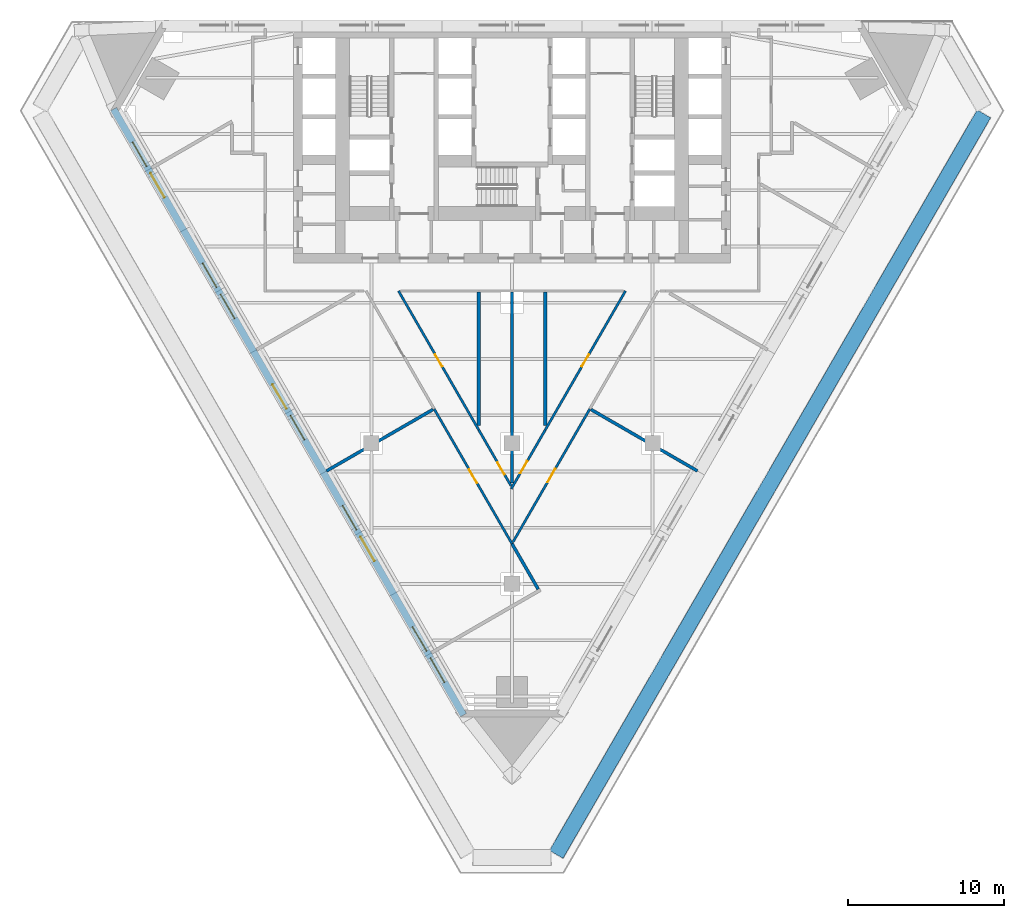
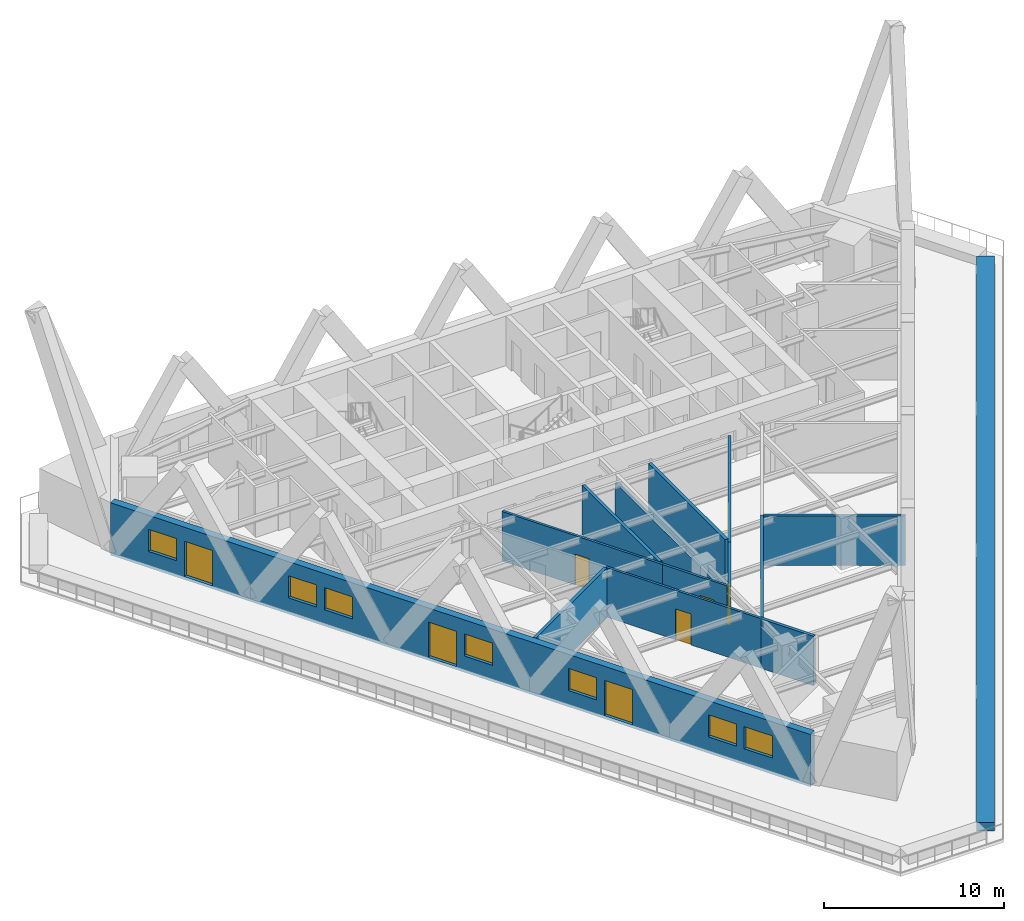
# One storey, part 3 of 11: 14 walls, 9 doors, 7 windows, 16 openings.
"""IFC4 building model written with IfcOpenShell, lengths in metres."""

import ifcopenshell
import ifcopenshell.guid

model = None  # the IFC model being written
_history = None  # IfcOwnerHistory: only IFC2X3 demands one
_inside = {}  # id of a spatial element -> (the spatial element, [elements in it])
_under = {}  # id of a project, library or spatial element -> (it, [spatial elements below it])
_declared = {}  # id of a project -> (the project, [libraries it declares])
_typed = {}  # id of a type object -> (the type object, [elements of that type])
_made_of = {}  # id of a material, layer set ... -> (it, [elements and type objects made of it])


def new_model(schema):
    """Start an empty IFC model of exactly this schema.

    Asked for "IFC4X3", IfcOpenShell would pick the latest addendum, in which some entities
    have other attributes; the version numbers below select the first issue.
    IFC2X3 requires an IfcOwnerHistory on every rooted entity: one is made here for all.
    """
    global model, _history
    if schema == "IFC4X3":
        model = ifcopenshell.file(schema_version=(4, 3, 0, 0))
    else:
        model = ifcopenshell.file(schema=schema)
    _inside.clear()
    _under.clear()
    _declared.clear()
    _typed.clear()
    _made_of.clear()
    _history = None
    if model.schema == "IFC2X3":
        org = make("IfcOrganization", Name="unknown")
        user = make(
            "IfcPersonAndOrganization",
            ThePerson=make("IfcPerson", FamilyName="unknown"),
            TheOrganization=org,
        )
        app = make(
            "IfcApplication",
            ApplicationDeveloper=org,
            Version="unknown",
            ApplicationFullName="unknown",
            ApplicationIdentifier="unknown",
        )
        _history = make(
            "IfcOwnerHistory",
            OwningUser=user,
            OwningApplication=app,
            ChangeAction="ADDED",
            CreationDate=0,
        )
    return model


def make(cls, **values):
    """One entity of the class cls with the attributes given. An attribute that is None is left unset."""
    return model.create_entity(
        cls, **{name: value for name, value in values.items() if value is not None}
    )


def rooted(cls, **values):
    """An entity with a GlobalId (a new one), such as an element, a storey or a relation."""
    return make(cls, GlobalId=ifcopenshell.guid.new(), OwnerHistory=_history, **values)


def si_unit(unit_type, name, prefix=None):
    """IfcSIUnit, for example si_unit("LENGTHUNIT", "METRE", prefix="MILLI")."""
    return make("IfcSIUnit", UnitType=unit_type, Prefix=prefix, Name=name)


def assignment(units):
    """IfcUnitAssignment: the units of a project."""
    return None if units is None else make("IfcUnitAssignment", Units=units)


def point(xyz):
    """IfcCartesianPoint."""
    return None if xyz is None else make("IfcCartesianPoint", Coordinates=xyz)


def direction(xyz):
    """IfcDirection."""
    return None if xyz is None else make("IfcDirection", DirectionRatios=xyz)


def frame(location, z_axis=None, x_axis=None):
    """IfcAxis2Placement3D, a coordinate frame: its origin and axes. An axis left out is left unset."""
    return make(
        "IfcAxis2Placement3D",
        Location=point(location),
        Axis=direction(z_axis),
        RefDirection=direction(x_axis),
    )


def frame_2d(location, x_axis=None):
    """IfcAxis2Placement2D, a coordinate frame in the plane: its origin and x axis."""
    return make(
        "IfcAxis2Placement2D", Location=point(location), RefDirection=direction(x_axis)
    )


def origin():
    """The frame at (0, 0, 0) with its axes left unset."""
    return frame((0.0, 0.0, 0.0))


def place(relative_to, where):
    """IfcLocalPlacement: puts the frame where relative to a parent placement (None: the world)."""
    return make(
        "IfcLocalPlacement", PlacementRelTo=relative_to, RelativePlacement=where
    )


def context(
    kind, dimensions, precision=None, world=None, true_north=None, identifier=None
):
    """IfcGeometricRepresentationContext, for example the 3D "Model" context."""
    return make(
        "IfcGeometricRepresentationContext",
        ContextIdentifier=identifier,
        ContextType=kind,
        CoordinateSpaceDimension=dimensions,
        Precision=precision,
        WorldCoordinateSystem=world,
        TrueNorth=true_north,
    )


def subcontext(parent, identifier, kind, view, scale=None):
    """IfcGeometricRepresentationSubContext, for example "Body" below "Model"."""
    return make(
        "IfcGeometricRepresentationSubContext",
        ContextIdentifier=identifier,
        ContextType=kind,
        ParentContext=parent,
        TargetScale=scale,
        TargetView=view,
    )


def project(units=None, contexts=None):
    """IfcProject with its units and contexts."""
    return rooted(
        "IfcProject",
        Name="project",
        RepresentationContexts=contexts,
        UnitsInContext=assignment(units),
    )


def spatial(cls, under=None, at=None, **own):
    """A site, building, storey or space (cls), placed at a placement, below another one or the project."""
    s = rooted(cls, ObjectPlacement=at, **own)
    if under is not None:
        _under.setdefault(under.id(), (under, []))[1].append(s)
    return s


def polyline(points):
    """IfcPolyline through the points."""
    return make("IfcPolyline", Points=[point(p) for p in points])


def profile(cls, at=None, kind="AREA", **sizes):
    """A parametric profile (cls). Its sizes go by their IFC names, for example OverallWidth=200.0."""
    return make(cls, ProfileType=kind, Position=at, **sizes)


def rectangle(**sizes):
    """IfcRectangleProfileDef."""
    return profile("IfcRectangleProfileDef", **sizes)


def outline(outer, holes=None, kind="AREA"):
    """IfcArbitraryClosedProfileDef: a profile drawn as a closed curve; with holes, ...WithVoids."""
    if holes is None:
        return make("IfcArbitraryClosedProfileDef", ProfileType=kind, OuterCurve=outer)
    return make(
        "IfcArbitraryProfileDefWithVoids",
        ProfileType=kind,
        OuterCurve=outer,
        InnerCurves=holes,
    )


def extrude(swept, where, along, depth):
    """IfcExtrudedAreaSolid: the profile swept, set in the frame where, extruded along a direction by depth."""
    return make(
        "IfcExtrudedAreaSolid",
        SweptArea=swept,
        Position=where,
        ExtrudedDirection=direction(along),
        Depth=depth,
    )


def shape(context_of_items, identifier, shape_type, items):
    """IfcShapeRepresentation: the items that make up one representation, for example the "Body"."""
    return make(
        "IfcShapeRepresentation",
        ContextOfItems=context_of_items,
        RepresentationIdentifier=identifier,
        RepresentationType=shape_type,
        Items=items,
    )


def material(Name=None, Category=None):
    """IfcMaterial."""
    return make("IfcMaterial", Name=Name, Category=Category)


def layer(
    of_material, thickness, ventilated=None, Name=None, Category=None, Priority=None
):
    """IfcMaterialLayer: one layer of a wall or slab, of a material (None: an air gap)."""
    return make(
        "IfcMaterialLayer",
        Material=of_material,
        LayerThickness=thickness,
        IsVentilated=ventilated,
        Name=Name,
        Category=Category,
        Priority=Priority,
    )


def layer_set(layers, Name=None):
    """IfcMaterialLayerSet."""
    return make("IfcMaterialLayerSet", MaterialLayers=layers, LayerSetName=Name)


def made_of(thing, what):
    """Note that an element or type object is made of a material, layer set ...; save() writes the relation."""
    if what is not None:
        _made_of.setdefault(what.id(), (what, []))[1].append(thing)
    return thing


def type_object(cls, material=None, **own):
    """A type object (cls), such as IfcWallType, which elements share."""
    return made_of(rooted(cls, **own), material)


def element(
    cls,
    number,
    at=None,
    inside=None,
    cuts=None,
    type_object=None,
    material=None,
    context=None,
    identifier="Body",
    shape_type=None,
    held_by="IfcProductDefinitionShape",
    body=None,
    shapes=None,
    **own,
):
    """One element of the class cls, such as IfcWall. Its Tag is "e" and its number.

    at: its placement. inside: the storey or other place that contains it. cuts: it is an
    opening in that element (IfcRelVoidsElement). A single representation is given by context,
    identifier, shape_type and body (its items); several are given by shapes. held_by: the class
    of the entity that holds the representations. save() writes the other relations.
    """
    e = rooted(cls, Tag="e%d" % number, ObjectPlacement=at, **own)
    if body is not None:
        shapes = [shape(context, identifier, shape_type, body)]
    if shapes is not None:
        e.Representation = make(held_by, Representations=shapes)
    if inside is not None:
        _inside.setdefault(inside.id(), (inside, []))[1].append(e)
    if cuts is not None:
        rooted(
            "IfcRelVoidsElement", RelatingBuildingElement=cuts, RelatedOpeningElement=e
        )
    if type_object is not None:
        _typed.setdefault(type_object.id(), (type_object, []))[1].append(e)
    return made_of(e, material)


def fill(opening, filler):
    """IfcRelFillsElement: the door or window that sits in an opening."""
    return rooted(
        "IfcRelFillsElement",
        RelatingOpeningElement=opening,
        RelatedBuildingElement=filler,
    )


def aggregate(whole, parts):
    """IfcRelAggregates: a whole, such as a stair, and the parts it consists of."""
    return rooted("IfcRelAggregates", RelatingObject=whole, RelatedObjects=parts)


def save(model, path):
    """Write the relations noted so far, then the file.

    IfcRelAggregates (storeys below a building ...), IfcRelContainedInSpatialStructure (elements
    in a storey), IfcRelDefinesByType, IfcRelAssociatesMaterial and IfcRelDeclares: one each for
    every whole, place, type object, material and project.
    """
    for whole, parts in _under.values():
        aggregate(whole, parts)
    for where, things in _inside.values():
        rooted(
            "IfcRelContainedInSpatialStructure",
            RelatedElements=things,
            RelatingStructure=where,
        )
    for kind, things in _typed.values():
        rooted("IfcRelDefinesByType", RelatedObjects=things, RelatingType=kind)
    for what, things in _made_of.values():
        rooted("IfcRelAssociatesMaterial", RelatedObjects=things, RelatingMaterial=what)
    for by, libraries in _declared.values():
        rooted("IfcRelDeclares", RelatingContext=by, RelatedDefinitions=libraries)
    model.write(path)


model = new_model("IFC4")

# Units and contexts
model_context = context("Model", 3, precision=1e-05, world=origin(), true_north=direction((0.0, 1.0)))
body_context = subcontext(model_context, "Body", "Model", "MODEL_VIEW")
ifc_project = project(units=[si_unit("LENGTHUNIT", "METRE"), si_unit("AREAUNIT", "SQUARE_METRE"), si_unit("VOLUMEUNIT", "CUBIC_METRE"), si_unit("PLANEANGLEUNIT", "RADIAN"), si_unit("MASSUNIT", "GRAM", prefix="KILO")], contexts=[model_context])

# Site, building, storey
site_placement = place(None, origin())
site = spatial("IfcSite", under=ifc_project, at=site_placement, CompositionType="ELEMENT")
building_placement = place(site_placement, origin())
building = spatial("IfcBuilding", under=site, at=building_placement, Name="Aloe Facet Convention Tower", CompositionType="ELEMENT")
storey_placement = place(building_placement, frame((0.0, 0.0, 35.0)))
storey = spatial("IfcBuildingStorey", under=building, at=storey_placement, Name="L06", CompositionType="ELEMENT", Elevation=35.0)

# Wall
ifc_material_1 = material(Name="Precast concrete C40/50", Category="concrete")
ifc_layer_1 = layer(ifc_material_1, 1.0)
ifc_layer_set_1 = layer_set([ifc_layer_1], Name="EV-PLANTER-BED")
wall_type_1 = type_object("IfcWallType", Name="EV-PLANTER-BED", PredefinedType="STANDARD", material=ifc_layer_set_1)
wall_1_placement = place(storey_placement, frame((110.20751953125, 129.09130859375, 0.0), z_axis=(0.0, 0.0, 1.0), x_axis=(-0.500001932243, -0.8660242882, 0.0)))
element("IfcWall", 1, at=wall_1_placement, inside=storey, type_object=wall_type_1, Name="PLANTER PT-L06-1-2", PredefinedType="STANDARD", context=body_context, shape_type="SweptSolid", body=[
    extrude(rectangle(XDim=54.746826171875, YDim=1.0, at=frame_2d((27.37353515625, 0.0))), origin(), (0.0, 0.0, 1.0), 0.60009765625),
])

# Wall, openings, doors, windows
ifc_material_2 = material(Name="Precast concrete C40/50", Category="concrete")
ifc_layer_2 = layer(ifc_material_2, 0.449951171875)
ifc_layer_set_2 = layer_set([ifc_layer_2], Name="EV-WALL-STONE")
wall_type_2 = type_object("IfcWallType", Name="EV-WALL-STONE", PredefinedType="SOLIDWALL", material=ifc_layer_set_2)
wall_2_placement = place(storey_placement, frame((54.494873046875, 129.396728515625, -0.199951171875), z_axis=(0.0, 0.0, 1.0), x_axis=(0.499999201451, -0.866025864826, 0.0)))
wall_2 = element("IfcWall", 2, at=wall_2_placement, inside=storey, type_object=wall_type_2, Name="EW-L06-W01", PredefinedType="SOLIDWALL", context=body_context, shape_type="SweptSolid", body=[
    extrude(outline(polyline([(44.800048828125, 0.0), (44.800048828125, 3.550048828125), (0.0, 3.550048828125), (0.0, 0.0), (44.800048828125, 0.0)])), frame((0.0, 0.22509765625, 0.0), z_axis=(0.0, -1.0, 0.0), x_axis=(1.0, 0.0, 0.0)), (0.0, 0.0, 1.0), 0.449951171875),
])
opening_1_placement = place(wall_2_placement, frame((2.429931640625, 0.0, 1.10009765625)))
opening_1 = element("IfcOpeningElement", 3, at=opening_1_placement, cuts=wall_2, Name="Opening W-L06-W01", PredefinedType="OPENING", context=body_context, shape_type="SweptSolid", body=[
    extrude(rectangle(XDim=1.800048828125, YDim=1.5, at=frame_2d((0.89990234375, 0.75))), frame((0.0, 0.23486328125, 0.0), z_axis=(0.0, -1.0, 0.0), x_axis=(1.0, 0.0, 0.0)), (0.0, 0.0, 1.0), 0.469970703125),
])
opening_2_placement = place(wall_2_placement, frame((4.72998046875, 0.0, 0.199951171875)))
opening_2 = element("IfcOpeningElement", 4, at=opening_2_placement, cuts=wall_2, Name="Opening D-L06-W02", PredefinedType="OPENING", context=body_context, shape_type="SweptSolid", body=[
    extrude(rectangle(XDim=1.800048828125, YDim=2.39990234375, at=frame_2d((0.89990234375, 1.199951171875))), frame((0.0, 0.23486328125, 0.0), z_axis=(0.0, -1.0, 0.0), x_axis=(1.0, 0.0, 0.0)), (0.0, 0.0, 1.0), 0.469970703125),
])
opening_3_placement = place(wall_2_placement, frame((11.389892578125, 0.0, 1.10009765625)))
opening_3 = element("IfcOpeningElement", 5, at=opening_3_placement, cuts=wall_2, Name="Opening W-L06-W03", PredefinedType="OPENING", context=body_context, shape_type="SweptSolid", body=[
    extrude(rectangle(XDim=1.800048828125, YDim=1.5, at=frame_2d((0.89990234375, 0.75))), frame((0.0, 0.23486328125, 0.0), z_axis=(0.0, -1.0, 0.0), x_axis=(1.0, 0.0, 0.0)), (0.0, 0.0, 1.0), 0.469970703125),
])
opening_4_placement = place(wall_2_placement, frame((13.68994140625, 0.0, 1.10009765625)))
opening_4 = element("IfcOpeningElement", 6, at=opening_4_placement, cuts=wall_2, Name="Opening W-L06-W04", PredefinedType="OPENING", context=body_context, shape_type="SweptSolid", body=[
    extrude(rectangle(XDim=1.800048828125, YDim=1.5, at=frame_2d((0.89990234375, 0.75))), frame((0.0, 0.23486328125, 0.0), z_axis=(0.0, -1.0, 0.0), x_axis=(1.0, 0.0, 0.0)), (0.0, 0.0, 1.0), 0.469970703125),
])
opening_5_placement = place(wall_2_placement, frame((20.35009765625, 0.0, 0.199951171875)))
opening_5 = element("IfcOpeningElement", 7, at=opening_5_placement, cuts=wall_2, Name="Opening D-L06-W05", PredefinedType="OPENING", context=body_context, shape_type="SweptSolid", body=[
    extrude(rectangle(XDim=1.800048828125, YDim=2.39990234375, at=frame_2d((0.89990234375, 1.199951171875))), frame((0.0, 0.23486328125, 0.0), z_axis=(0.0, -1.0, 0.0), x_axis=(1.0, 0.0, 0.0)), (0.0, 0.0, 1.0), 0.469970703125),
])
opening_6_placement = place(wall_2_placement, frame((22.64990234375, 0.0, 1.10009765625)))
opening_6 = element("IfcOpeningElement", 8, at=opening_6_placement, cuts=wall_2, Name="Opening W-L06-W06", PredefinedType="OPENING", context=body_context, shape_type="SweptSolid", body=[
    extrude(rectangle(XDim=1.800048828125, YDim=1.5, at=frame_2d((0.89990234375, 0.75))), frame((0.0, 0.23486328125, 0.0), z_axis=(0.0, -1.0, 0.0), x_axis=(1.0, 0.0, 0.0)), (0.0, 0.0, 1.0), 0.469970703125),
])
opening_7_placement = place(wall_2_placement, frame((29.31005859375, 0.0, 1.10009765625)))
opening_7 = element("IfcOpeningElement", 9, at=opening_7_placement, cuts=wall_2, Name="Opening W-L06-W07", PredefinedType="OPENING", context=body_context, shape_type="SweptSolid", body=[
    extrude(rectangle(XDim=1.800048828125, YDim=1.5, at=frame_2d((0.89990234375, 0.75))), frame((0.0, 0.23486328125, 0.0), z_axis=(0.0, -1.0, 0.0), x_axis=(1.0, 0.0, 0.0)), (0.0, 0.0, 1.0), 0.469970703125),
])
opening_8_placement = place(wall_2_placement, frame((31.610107421875, 0.0, 0.199951171875)))
opening_8 = element("IfcOpeningElement", 10, at=opening_8_placement, cuts=wall_2, Name="Opening D-L06-W08", PredefinedType="OPENING", context=body_context, shape_type="SweptSolid", body=[
    extrude(rectangle(XDim=1.800048828125, YDim=2.39990234375, at=frame_2d((0.89990234375, 1.199951171875))), frame((0.0, 0.23486328125, 0.0), z_axis=(0.0, -1.0, 0.0), x_axis=(1.0, 0.0, 0.0)), (0.0, 0.0, 1.0), 0.469970703125),
])
opening_9_placement = place(wall_2_placement, frame((38.27001953125, 0.0, 1.10009765625)))
opening_9 = element("IfcOpeningElement", 11, at=opening_9_placement, cuts=wall_2, Name="Opening W-L06-W09", PredefinedType="OPENING", context=body_context, shape_type="SweptSolid", body=[
    extrude(rectangle(XDim=1.800048828125, YDim=1.5, at=frame_2d((0.89990234375, 0.75))), frame((0.0, 0.23486328125, 0.0), z_axis=(0.0, -1.0, 0.0), x_axis=(1.0, 0.0, 0.0)), (0.0, 0.0, 1.0), 0.469970703125),
])
opening_10_placement = place(wall_2_placement, frame((40.570068359375, 0.0, 1.10009765625)))
opening_10 = element("IfcOpeningElement", 12, at=opening_10_placement, cuts=wall_2, Name="Opening W-L06-W10", PredefinedType="OPENING", context=body_context, shape_type="SweptSolid", body=[
    extrude(rectangle(XDim=1.800048828125, YDim=1.5, at=frame_2d((0.89990234375, 0.75))), frame((0.0, 0.23486328125, 0.0), z_axis=(0.0, -1.0, 0.0), x_axis=(1.0, 0.0, 0.0)), (0.0, 0.0, 1.0), 0.469970703125),
])
ifc_material_3 = material(Name="Aluminium frame, clear double glazing", Category="aluminium")
door_type_1 = type_object("IfcDoorType", Name="EV-DOOR-FRENCH", OperationType="DOUBLE_DOOR_SINGLE_SWING", PredefinedType="DOOR", material=ifc_material_3)
door_1_placement = place(opening_2_placement, origin())
door_1 = element("IfcDoor", 13, at=door_1_placement, inside=storey, type_object=door_type_1, Name="D-L06-W02", OperationType="SINGLE_SWING_LEFT", OverallHeight=2.39990234375, OverallWidth=1.800048828125, PredefinedType="DOOR", context=body_context, shape_type="SweptSolid", body=[
    extrude(rectangle(XDim=1.800048828125, YDim=2.39990234375, at=frame_2d((0.89990234375, 1.199951171875))), frame((0.0, 0.02490234375, 0.0), z_axis=(0.0, -1.0, 0.0), x_axis=(1.0, 0.0, 0.0)), (0.0, 0.0, 1.0), 0.050048828125),
])
fill(opening_2, door_1)
door_2_placement = place(opening_5_placement, origin())
door_2 = element("IfcDoor", 14, at=door_2_placement, inside=storey, type_object=door_type_1, Name="D-L06-W05", OperationType="SINGLE_SWING_LEFT", OverallHeight=2.39990234375, OverallWidth=1.800048828125, PredefinedType="DOOR", context=body_context, shape_type="SweptSolid", body=[
    extrude(rectangle(XDim=1.800048828125, YDim=2.39990234375, at=frame_2d((0.89990234375, 1.199951171875))), frame((0.0, 0.02490234375, 0.0), z_axis=(0.0, -1.0, 0.0), x_axis=(1.0, 0.0, 0.0)), (0.0, 0.0, 1.0), 0.050048828125),
])
fill(opening_5, door_2)
door_3_placement = place(opening_8_placement, origin())
door_3 = element("IfcDoor", 15, at=door_3_placement, inside=storey, type_object=door_type_1, Name="D-L06-W08", OperationType="SINGLE_SWING_LEFT", OverallHeight=2.39990234375, OverallWidth=1.800048828125, PredefinedType="DOOR", context=body_context, shape_type="SweptSolid", body=[
    extrude(rectangle(XDim=1.800048828125, YDim=2.39990234375, at=frame_2d((0.89990234375, 1.199951171875))), frame((0.0, 0.02490234375, 0.0), z_axis=(0.0, -1.0, 0.0), x_axis=(1.0, 0.0, 0.0)), (0.0, 0.0, 1.0), 0.050048828125),
])
fill(opening_8, door_3)
ifc_material_4 = material(Name="Aluminium frame, clear double glazing", Category="aluminium")
window_type = type_object("IfcWindowType", Name="EV-WIN-H18", PartitioningType="SINGLE_PANEL", PredefinedType="WINDOW", material=ifc_material_4)
window_1_placement = place(opening_1_placement, origin())
window_1 = element("IfcWindow", 16, at=window_1_placement, inside=storey, type_object=window_type, Name="W-L06-W01", OverallHeight=1.5, OverallWidth=1.800048828125, PartitioningType="SINGLE_PANEL", PredefinedType="WINDOW", context=body_context, shape_type="SweptSolid", body=[
    extrude(rectangle(XDim=1.800048828125, YDim=1.5, at=frame_2d((0.89990234375, 0.75))), frame((0.0, 0.030029296875, 0.0), z_axis=(0.0, -1.0, 0.0), x_axis=(1.0, 0.0, 0.0)), (0.0, 0.0, 1.0), 0.06005859375),
])
fill(opening_1, window_1)
window_2_placement = place(opening_3_placement, origin())
window_2 = element("IfcWindow", 17, at=window_2_placement, inside=storey, type_object=window_type, Name="W-L06-W03", OverallHeight=1.5, OverallWidth=1.800048828125, PartitioningType="SINGLE_PANEL", PredefinedType="WINDOW", context=body_context, shape_type="SweptSolid", body=[
    extrude(rectangle(XDim=1.800048828125, YDim=1.5, at=frame_2d((0.89990234375, 0.75))), frame((0.0, 0.030029296875, 0.0), z_axis=(0.0, -1.0, 0.0), x_axis=(1.0, 0.0, 0.0)), (0.0, 0.0, 1.0), 0.06005859375),
])
fill(opening_3, window_2)
window_3_placement = place(opening_4_placement, origin())
window_3 = element("IfcWindow", 18, at=window_3_placement, inside=storey, type_object=window_type, Name="W-L06-W04", OverallHeight=1.5, OverallWidth=1.800048828125, PartitioningType="SINGLE_PANEL", PredefinedType="WINDOW", context=body_context, shape_type="SweptSolid", body=[
    extrude(rectangle(XDim=1.800048828125, YDim=1.5, at=frame_2d((0.89990234375, 0.75))), frame((0.0, 0.030029296875, 0.0), z_axis=(0.0, -1.0, 0.0), x_axis=(1.0, 0.0, 0.0)), (0.0, 0.0, 1.0), 0.06005859375),
])
fill(opening_4, window_3)
window_4_placement = place(opening_6_placement, origin())
window_4 = element("IfcWindow", 19, at=window_4_placement, inside=storey, type_object=window_type, Name="W-L06-W06", OverallHeight=1.5, OverallWidth=1.800048828125, PartitioningType="SINGLE_PANEL", PredefinedType="WINDOW", context=body_context, shape_type="SweptSolid", body=[
    extrude(rectangle(XDim=1.800048828125, YDim=1.5, at=frame_2d((0.89990234375, 0.75))), frame((0.0, 0.030029296875, 0.0), z_axis=(0.0, -1.0, 0.0), x_axis=(1.0, 0.0, 0.0)), (0.0, 0.0, 1.0), 0.06005859375),
])
fill(opening_6, window_4)
window_5_placement = place(opening_7_placement, origin())
window_5 = element("IfcWindow", 20, at=window_5_placement, inside=storey, type_object=window_type, Name="W-L06-W07", OverallHeight=1.5, OverallWidth=1.800048828125, PartitioningType="SINGLE_PANEL", PredefinedType="WINDOW", context=body_context, shape_type="SweptSolid", body=[
    extrude(rectangle(XDim=1.800048828125, YDim=1.5, at=frame_2d((0.89990234375, 0.75))), frame((0.0, 0.030029296875, 0.0), z_axis=(0.0, -1.0, 0.0), x_axis=(1.0, 0.0, 0.0)), (0.0, 0.0, 1.0), 0.06005859375),
])
fill(opening_7, window_5)
window_6_placement = place(opening_9_placement, origin())
window_6 = element("IfcWindow", 21, at=window_6_placement, inside=storey, type_object=window_type, Name="W-L06-W09", OverallHeight=1.5, OverallWidth=1.800048828125, PartitioningType="SINGLE_PANEL", PredefinedType="WINDOW", context=body_context, shape_type="SweptSolid", body=[
    extrude(rectangle(XDim=1.800048828125, YDim=1.5, at=frame_2d((0.89990234375, 0.75))), frame((0.0, 0.030029296875, 0.0), z_axis=(0.0, -1.0, 0.0), x_axis=(1.0, 0.0, 0.0)), (0.0, 0.0, 1.0), 0.06005859375),
])
fill(opening_9, window_6)
window_7_placement = place(opening_10_placement, origin())
window_7 = element("IfcWindow", 22, at=window_7_placement, inside=storey, type_object=window_type, Name="W-L06-W10", OverallHeight=1.5, OverallWidth=1.800048828125, PartitioningType="SINGLE_PANEL", PredefinedType="WINDOW", context=body_context, shape_type="SweptSolid", body=[
    extrude(rectangle(XDim=1.800048828125, YDim=1.5, at=frame_2d((0.89990234375, 0.75))), frame((0.0, 0.030029296875, 0.0), z_axis=(0.0, -1.0, 0.0), x_axis=(1.0, 0.0, 0.0)), (0.0, 0.0, 1.0), 0.06005859375),
])
fill(opening_10, window_7)

# Wall, opening, door
ifc_material_5 = material(Name="Gypsum board partition on steel studs", Category="steel")
ifc_layer_3 = layer(ifc_material_5, 0.14990234375)
ifc_layer_set_3 = layer_set([ifc_layer_3], Name="IN-W-CORR")
wall_type_3 = type_object("IfcWallType", Name="IN-W-CORR", PredefinedType="PARTITIONING", material=ifc_layer_set_3)
wall_3_placement = place(storey_placement, frame((75.0146484375, 110.20556640625, 0.0), z_axis=(0.0, 0.0, 1.0), x_axis=(0.49999446006, -0.866028602246, 0.0)))
wall_3 = element("IfcWall", 23, at=wall_3_placement, inside=storey, type_object=wall_type_3, Name="Partition L06-W003", PredefinedType="PARTITIONING", context=body_context, shape_type="SweptSolid", body=[
    extrude(rectangle(XDim=9.970703125, YDim=0.14990234375, at=frame_2d((4.9853515625, 0.0))), origin(), (0.0, 0.0, 1.0), 3.35009765625),
])
opening_11_placement = place(wall_3_placement, frame((4.4853515625, 0.0, 0.0)))
opening_11 = element("IfcOpeningElement", 24, at=opening_11_placement, cuts=wall_3, Name="Opening L06-005", PredefinedType="OPENING", context=body_context, shape_type="SweptSolid", body=[
    extrude(rectangle(XDim=1.0, YDim=2.10009765625, at=frame_2d((0.5, 1.050048828125))), frame((0.0, 0.0849609375, 0.0), z_axis=(0.0, -1.0, 0.0), x_axis=(1.0, 0.0, 0.0)), (0.0, 0.0, 1.0), 0.169921875),
])
ifc_material_6 = material(Name="Hardwood flush door FD30S", Category="wood")
door_type_2 = type_object("IfcDoorType", Name="IN-D-WIDE", OperationType="SINGLE_SWING_LEFT", PredefinedType="DOOR", material=ifc_material_6)
door_4_placement = place(opening_11_placement, origin())
door_4 = element("IfcDoor", 25, at=door_4_placement, inside=storey, type_object=door_type_2, Name="Door L06-005", OperationType="SINGLE_SWING_LEFT", OverallHeight=2.10009765625, OverallWidth=1.0, PredefinedType="DOOR", context=body_context, shape_type="SweptSolid", body=[
    extrude(rectangle(XDim=1.0, YDim=2.10009765625, at=frame_2d((0.5, 1.050048828125))), frame((0.0, 0.02490234375, 0.0), z_axis=(0.0, -1.0, 0.0), x_axis=(1.0, 0.0, 0.0)), (0.0, 0.0, 1.0), 0.050048828125),
])
fill(opening_11, door_4)

wall_4_placement = place(storey_placement, frame((79.949951171875, 105.083984375, 0.0), z_axis=(0.0, 0.0, 1.0), x_axis=(0.500016925002, 0.866015631909, 0.0)))
wall_4 = element("IfcWall", 26, at=wall_4_placement, inside=storey, type_object=wall_type_3, Name="Partition L06-W004", PredefinedType="PARTITIONING", context=body_context, shape_type="SweptSolid", body=[
    extrude(rectangle(XDim=4.353759765625, YDim=0.14990234375, at=frame_2d((2.1767578125, 0.0))), origin(), (0.0, 0.0, 1.0), 3.35009765625),
])
opening_12_placement = place(wall_4_placement, frame((1.15625, 0.0, 0.0)))
opening_12 = element("IfcOpeningElement", 27, at=opening_12_placement, cuts=wall_4, Name="Opening L06-012", PredefinedType="OPENING", context=body_context, shape_type="SweptSolid", body=[
    extrude(rectangle(XDim=0.89990234375, YDim=2.10009765625, at=frame_2d((0.449951171875, 1.050048828125))), frame((0.0, 0.0849609375, 0.0), z_axis=(0.0, -1.0, 0.0), x_axis=(1.0, 0.0, 0.0)), (0.0, 0.0, 1.0), 0.169921875),
])
ifc_material_7 = material(Name="Hardwood flush door FD30S", Category="wood")
door_type_3 = type_object("IfcDoorType", Name="IN-D-GUEST", OperationType="SINGLE_SWING_LEFT", PredefinedType="DOOR", material=ifc_material_7)
door_5_placement = place(opening_12_placement, origin())
door_5 = element("IfcDoor", 28, at=door_5_placement, inside=storey, type_object=door_type_3, Name="Door L06-012", OperationType="SINGLE_SWING_LEFT", OverallHeight=2.10009765625, OverallWidth=0.89990234375, PredefinedType="DOOR", context=body_context, shape_type="SweptSolid", body=[
    extrude(rectangle(XDim=0.89990234375, YDim=2.10009765625, at=frame_2d((0.449951171875, 1.050048828125))), frame((0.0, 0.02490234375, 0.0), z_axis=(0.0, -1.0, 0.0), x_axis=(1.0, 0.0, 0.0)), (0.0, 0.0, 1.0), 0.050048828125),
])
fill(opening_12, door_5)

wall_5_placement = place(storey_placement, frame((77.873046875, 108.8544921875, 0.0), z_axis=(0.0, 0.0, 1.0), x_axis=(0.500005674609, -0.866022127522, 0.0)))
wall_5 = element("IfcWall", 29, at=wall_5_placement, inside=storey, type_object=wall_type_3, Name="Partition L06-W008", PredefinedType="PARTITIONING", context=body_context, shape_type="SweptSolid", body=[
    extrude(rectangle(XDim=4.12890625, YDim=0.14990234375, at=frame_2d((2.064453125, 0.0))), origin(), (0.0, 0.0, 1.0), 3.35009765625),
])
opening_13_placement = place(wall_5_placement, frame((2.4033203125, 0.0, 0.0)))
opening_13 = element("IfcOpeningElement", 30, at=opening_13_placement, cuts=wall_5, Name="Opening L06-011", PredefinedType="OPENING", context=body_context, shape_type="SweptSolid", body=[
    extrude(rectangle(XDim=0.89990234375, YDim=2.10009765625, at=frame_2d((0.449951171875, 1.050048828125))), frame((0.0, 0.0849609375, 0.0), z_axis=(0.0, -1.0, 0.0), x_axis=(1.0, 0.0, 0.0)), (0.0, 0.0, 1.0), 0.169921875),
])
door_6_placement = place(opening_13_placement, origin())
door_6 = element("IfcDoor", 31, at=door_6_placement, inside=storey, type_object=door_type_3, Name="Door L06-011", OperationType="SINGLE_SWING_LEFT", OverallHeight=2.10009765625, OverallWidth=0.89990234375, PredefinedType="DOOR", context=body_context, shape_type="SweptSolid", body=[
    extrude(rectangle(XDim=0.89990234375, YDim=2.10009765625, at=frame_2d((0.449951171875, 1.050048828125))), frame((0.0, 0.02490234375, 0.0), z_axis=(0.0, -1.0, 0.0), x_axis=(1.0, 0.0, 0.0)), (0.0, 0.0, 1.0), 0.050048828125),
])
fill(opening_13, door_6)

wall_6_placement = place(storey_placement, frame((72.7373046875, 117.75, 0.0), z_axis=(0.0, 0.0, 1.0), x_axis=(0.499994038704, -0.866028845513, 0.0)))
wall_6 = element("IfcWall", 32, at=wall_6_placement, inside=storey, type_object=wall_type_3, Name="Partition L06-W009", PredefinedType="PARTITIONING", context=body_context, shape_type="SweptSolid", body=[
    extrude(rectangle(XDim=10.271728515625, YDim=0.14990234375, at=frame_2d((5.1357421875, 0.0))), origin(), (0.0, 0.0, 1.0), 3.35009765625),
])
opening_14_placement = place(wall_6_placement, frame((4.685791015625, 0.0, 0.0)))
opening_14 = element("IfcOpeningElement", 33, at=opening_14_placement, cuts=wall_6, Name="Opening L06-010", PredefinedType="OPENING", context=body_context, shape_type="SweptSolid", body=[
    extrude(rectangle(XDim=0.89990234375, YDim=2.10009765625, at=frame_2d((0.449951171875, 1.050048828125))), frame((0.0, 0.0849609375, 0.0), z_axis=(0.0, -1.0, 0.0), x_axis=(1.0, 0.0, 0.0)), (0.0, 0.0, 1.0), 0.169921875),
])
door_7_placement = place(opening_14_placement, origin())
door_7 = element("IfcDoor", 34, at=door_7_placement, inside=storey, type_object=door_type_3, Name="Door L06-010", OperationType="SINGLE_SWING_LEFT", OverallHeight=2.10009765625, OverallWidth=0.89990234375, PredefinedType="DOOR", context=body_context, shape_type="SweptSolid", body=[
    extrude(rectangle(XDim=0.89990234375, YDim=2.10009765625, at=frame_2d((0.449951171875, 1.050048828125))), frame((0.0, 0.02490234375, 0.0), z_axis=(0.0, -1.0, 0.0), x_axis=(1.0, 0.0, 0.0)), (0.0, 0.0, 1.0), 0.050048828125),
])
fill(opening_14, door_7)

wall_7_placement = place(storey_placement, frame((82.126953125, 108.8544921875, 0.0), z_axis=(0.0, 0.0, 1.0), x_axis=(0.499994038704, 0.866028845513, 0.0)))
wall_7 = element("IfcWall", 35, at=wall_7_placement, inside=storey, type_object=wall_type_3, Name="Partition L06-W012", PredefinedType="PARTITIONING", context=body_context, shape_type="SweptSolid", body=[
    extrude(rectangle(XDim=10.271728515625, YDim=0.14990234375, at=frame_2d((5.1357421875, 0.0))), origin(), (0.0, 0.0, 1.0), 3.35009765625),
])
opening_15_placement = place(wall_7_placement, frame((4.685791015625, 0.0, 0.0)))
opening_15 = element("IfcOpeningElement", 36, at=opening_15_placement, cuts=wall_7, Name="Opening L06-013", PredefinedType="OPENING", context=body_context, shape_type="SweptSolid", body=[
    extrude(rectangle(XDim=0.89990234375, YDim=2.10009765625, at=frame_2d((0.449951171875, 1.050048828125))), frame((0.0, 0.0849609375, 0.0), z_axis=(0.0, -1.0, 0.0), x_axis=(1.0, 0.0, 0.0)), (0.0, 0.0, 1.0), 0.169921875),
])
door_8_placement = place(opening_15_placement, origin())
door_8 = element("IfcDoor", 37, at=door_8_placement, inside=storey, type_object=door_type_3, Name="Door L06-013", OperationType="SINGLE_SWING_LEFT", OverallHeight=2.10009765625, OverallWidth=0.89990234375, PredefinedType="DOOR", context=body_context, shape_type="SweptSolid", body=[
    extrude(rectangle(XDim=0.89990234375, YDim=2.10009765625, at=frame_2d((0.449951171875, 1.050048828125))), frame((0.0, 0.02490234375, 0.0), z_axis=(0.0, -1.0, 0.0), x_axis=(1.0, 0.0, 0.0)), (0.0, 0.0, 1.0), 0.050048828125),
])
fill(opening_15, door_8)

wall_8_placement = place(storey_placement, frame((80.06005859375, 101.674560546875, 0.0), z_axis=(0.0, 0.0, 1.0), x_axis=(0.49999348569, 0.86602916479, 0.0)))
wall_8 = element("IfcWall", 38, at=wall_8_placement, inside=storey, type_object=wall_type_3, Name="Partition L06-W014", PredefinedType="PARTITIONING", context=body_context, shape_type="SweptSolid", body=[
    extrude(rectangle(XDim=9.850830078125, YDim=0.14990234375, at=frame_2d((4.92529296875, 0.0))), origin(), (0.0, 0.0, 1.0), 3.35009765625),
])
opening_16_placement = place(wall_8_placement, frame((4.42529296875, 0.0, 0.0)))
opening_16 = element("IfcOpeningElement", 39, at=opening_16_placement, cuts=wall_8, Name="Opening L06-006", PredefinedType="OPENING", context=body_context, shape_type="SweptSolid", body=[
    extrude(rectangle(XDim=1.0, YDim=2.10009765625, at=frame_2d((0.5, 1.050048828125))), frame((0.0, 0.0849609375, 0.0), z_axis=(0.0, -1.0, 0.0), x_axis=(1.0, 0.0, 0.0)), (0.0, 0.0, 1.0), 0.169921875),
])
door_9_placement = place(opening_16_placement, origin())
door_9 = element("IfcDoor", 40, at=door_9_placement, inside=storey, type_object=door_type_2, Name="Door L06-006", OperationType="SINGLE_SWING_LEFT", OverallHeight=2.10009765625, OverallWidth=1.0, PredefinedType="DOOR", context=body_context, shape_type="SweptSolid", body=[
    extrude(rectangle(XDim=1.0, YDim=2.10009765625, at=frame_2d((0.5, 1.050048828125))), frame((0.0, 0.02490234375, 0.0), z_axis=(0.0, -1.0, 0.0), x_axis=(1.0, 0.0, 0.0)), (0.0, 0.0, 1.0), 0.050048828125),
])
fill(opening_16, door_9)

# Walls
ifc_material_8 = material(Name="Gypsum board partition on steel studs", Category="steel")
ifc_layer_4 = layer(ifc_material_8, 0.199951171875)
ifc_layer_set_4 = layer_set([ifc_layer_4], Name="IN-W-PARTY")
wall_type_4 = type_object("IfcWallType", Name="IN-W-PARTY", PredefinedType="PARTITIONING", material=ifc_layer_set_4)
wall_9_placement = place(storey_placement, frame((80.0, 101.570556640625, 0.0), z_axis=(0.0, 0.0, 1.0), x_axis=(0.499875544254, -0.86609724642, 0.0)))
element("IfcWall", 41, at=wall_9_placement, inside=storey, type_object=wall_type_4, Name="Partition L06-W002", PredefinedType="PARTITIONING", context=body_context, shape_type="SweptSolid", body=[
    extrude(rectangle(XDim=3.359130859375, YDim=0.199951171875, at=frame_2d((1.6796875, 0.0))), origin(), (0.0, 0.0, 1.0), 3.35009765625),
])
wall_10_placement = place(storey_placement, frame((80.0, 105.465576171875, 0.0), z_axis=(0.0, 0.0, 1.0), x_axis=(0.0, 1.0, 0.0)))
element("IfcWall", 42, at=wall_10_placement, inside=storey, type_object=wall_type_4, Name="Partition L06-W005", PredefinedType="PARTITIONING", context=body_context, shape_type="SweptSolid", body=[
    extrude(rectangle(XDim=12.20947265625, YDim=0.199951171875, at=frame_2d((6.104736328125, 0.0))), origin(), (0.0, 0.0, 1.0), 2.800537109375),
])
for number, where, z_axis, x_axis, name in (
    (43, (68.129638671875, 106.23046875, 0.0), (0.0, 0.0, 1.0), (0.866018618032, 0.500011753083, 0.0), "Partition L06-W006"),
    (44, (85.05908203125, 110.1630859375, 0.0), (0.0, 0.0, 1.0), (0.866018618032, -0.500011753083, 0.0), "Partition L06-W007"),
):
    element("IfcWall", number, at=place(storey_placement, frame(where, z_axis=z_axis, x_axis=x_axis)), inside=storey, type_object=wall_type_4, Name=name, PredefinedType="PARTITIONING", context=body_context, shape_type="SweptSolid", body=[
        extrude(rectangle(XDim=7.864990234375, YDim=0.199951171875, at=frame_2d((3.9326171875, 0.0))), origin(), (0.0, 0.0, 1.0), 3.35009765625),
    ])
for number, where, z_axis, x_axis, name in (
    (45, (77.873046875, 109.149658203125, 0.0), (0.0, 0.0, 1.0), (0.0, 1.0, 0.0), "Partition L06-W010"),
    (46, (82.126953125, 109.149658203125, 0.0), (0.0, 0.0, 1.0), (0.0, 1.0, 0.0), "Partition L06-W011"),
):
    element("IfcWall", number, at=place(storey_placement, frame(where, z_axis=z_axis, x_axis=x_axis)), inside=storey, type_object=wall_type_4, Name=name, PredefinedType="PARTITIONING", context=body_context, shape_type="SweptSolid", body=[
        extrude(rectangle(XDim=8.525390625, YDim=0.199951171875, at=frame_2d((4.2626953125, 0.0))), origin(), (0.0, 0.0, 1.0), 3.35009765625),
    ])

save(model, "model.ifc")
